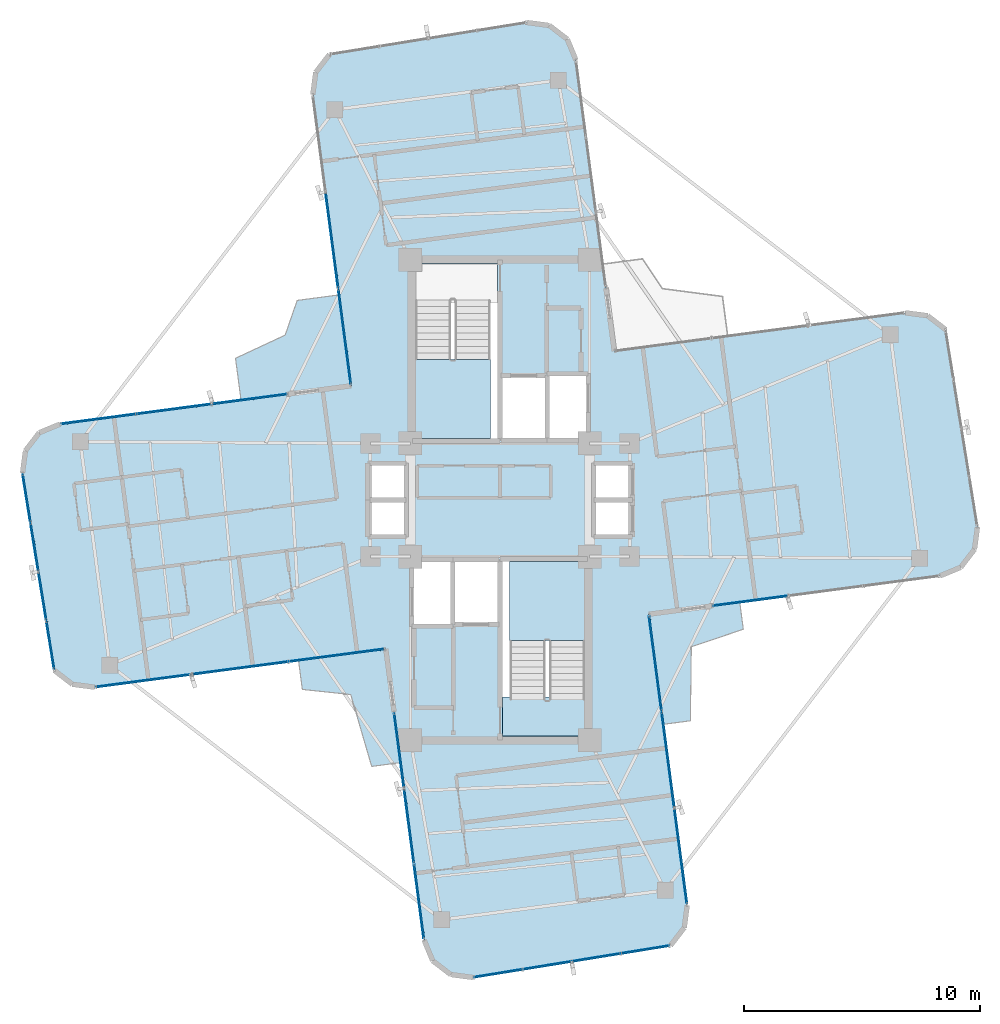
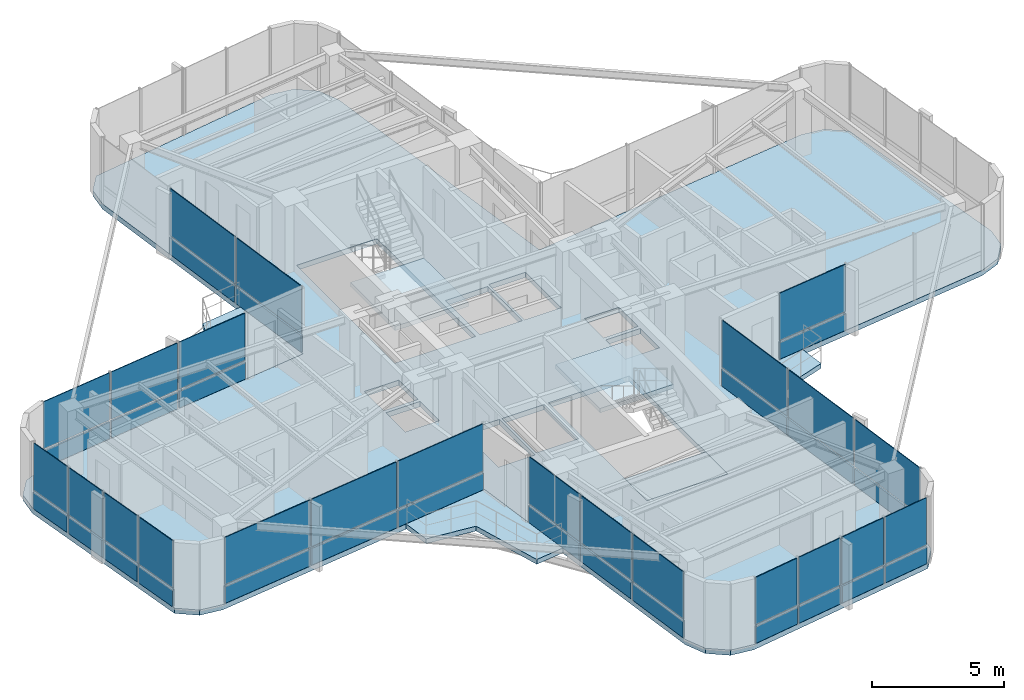
# One storey, part 17 of 22: 46 plates, 7 slabs, 10 elements without a shape of their own.
"""IFC4 building model written with IfcOpenShell, lengths in metres."""

import ifcopenshell
import ifcopenshell.guid

model = None  # the IFC model being written
_history = None  # IfcOwnerHistory: only IFC2X3 demands one
_inside = {}  # id of a spatial element -> (the spatial element, [elements in it])
_under = {}  # id of a project, library or spatial element -> (it, [spatial elements below it])
_declared = {}  # id of a project -> (the project, [libraries it declares])
_typed = {}  # id of a type object -> (the type object, [elements of that type])
_made_of = {}  # id of a material, layer set ... -> (it, [elements and type objects made of it])


def new_model(schema):
    """Start an empty IFC model of exactly this schema.

    Asked for "IFC4X3", IfcOpenShell would pick the latest addendum, in which some entities
    have other attributes; the version numbers below select the first issue.
    IFC2X3 requires an IfcOwnerHistory on every rooted entity: one is made here for all.
    """
    global model, _history
    if schema == "IFC4X3":
        model = ifcopenshell.file(schema_version=(4, 3, 0, 0))
    else:
        model = ifcopenshell.file(schema=schema)
    _inside.clear()
    _under.clear()
    _declared.clear()
    _typed.clear()
    _made_of.clear()
    _history = None
    if model.schema == "IFC2X3":
        org = make("IfcOrganization", Name="unknown")
        user = make(
            "IfcPersonAndOrganization",
            ThePerson=make("IfcPerson", FamilyName="unknown"),
            TheOrganization=org,
        )
        app = make(
            "IfcApplication",
            ApplicationDeveloper=org,
            Version="unknown",
            ApplicationFullName="unknown",
            ApplicationIdentifier="unknown",
        )
        _history = make(
            "IfcOwnerHistory",
            OwningUser=user,
            OwningApplication=app,
            ChangeAction="ADDED",
            CreationDate=0,
        )
    return model


def make(cls, **values):
    """One entity of the class cls with the attributes given. An attribute that is None is left unset."""
    return model.create_entity(
        cls, **{name: value for name, value in values.items() if value is not None}
    )


def rooted(cls, **values):
    """An entity with a GlobalId (a new one), such as an element, a storey or a relation."""
    return make(cls, GlobalId=ifcopenshell.guid.new(), OwnerHistory=_history, **values)


def si_unit(unit_type, name, prefix=None):
    """IfcSIUnit, for example si_unit("LENGTHUNIT", "METRE", prefix="MILLI")."""
    return make("IfcSIUnit", UnitType=unit_type, Prefix=prefix, Name=name)


def assignment(units):
    """IfcUnitAssignment: the units of a project."""
    return None if units is None else make("IfcUnitAssignment", Units=units)


def point(xyz):
    """IfcCartesianPoint."""
    return None if xyz is None else make("IfcCartesianPoint", Coordinates=xyz)


def direction(xyz):
    """IfcDirection."""
    return None if xyz is None else make("IfcDirection", DirectionRatios=xyz)


def frame(location, z_axis=None, x_axis=None):
    """IfcAxis2Placement3D, a coordinate frame: its origin and axes. An axis left out is left unset."""
    return make(
        "IfcAxis2Placement3D",
        Location=point(location),
        Axis=direction(z_axis),
        RefDirection=direction(x_axis),
    )


def frame_2d(location, x_axis=None):
    """IfcAxis2Placement2D, a coordinate frame in the plane: its origin and x axis."""
    return make(
        "IfcAxis2Placement2D", Location=point(location), RefDirection=direction(x_axis)
    )


def origin():
    """The frame at (0, 0, 0) with its axes left unset."""
    return frame((0.0, 0.0, 0.0))


def origin_2d():
    """The frame at (0, 0) in the plane with its x axis left unset."""
    return frame_2d((0.0, 0.0))


def place(relative_to, where):
    """IfcLocalPlacement: puts the frame where relative to a parent placement (None: the world)."""
    return make(
        "IfcLocalPlacement", PlacementRelTo=relative_to, RelativePlacement=where
    )


def context(
    kind, dimensions, precision=None, world=None, true_north=None, identifier=None
):
    """IfcGeometricRepresentationContext, for example the 3D "Model" context."""
    return make(
        "IfcGeometricRepresentationContext",
        ContextIdentifier=identifier,
        ContextType=kind,
        CoordinateSpaceDimension=dimensions,
        Precision=precision,
        WorldCoordinateSystem=world,
        TrueNorth=true_north,
    )


def subcontext(parent, identifier, kind, view, scale=None):
    """IfcGeometricRepresentationSubContext, for example "Body" below "Model"."""
    return make(
        "IfcGeometricRepresentationSubContext",
        ContextIdentifier=identifier,
        ContextType=kind,
        ParentContext=parent,
        TargetScale=scale,
        TargetView=view,
    )


def project(units=None, contexts=None):
    """IfcProject with its units and contexts."""
    return rooted(
        "IfcProject",
        Name="project",
        RepresentationContexts=contexts,
        UnitsInContext=assignment(units),
    )


def spatial(cls, under=None, at=None, **own):
    """A site, building, storey or space (cls), placed at a placement, below another one or the project."""
    s = rooted(cls, ObjectPlacement=at, **own)
    if under is not None:
        _under.setdefault(under.id(), (under, []))[1].append(s)
    return s


def polyline(points):
    """IfcPolyline through the points."""
    return make("IfcPolyline", Points=[point(p) for p in points])


def profile(cls, at=None, kind="AREA", **sizes):
    """A parametric profile (cls). Its sizes go by their IFC names, for example OverallWidth=200.0."""
    return make(cls, ProfileType=kind, Position=at, **sizes)


def rectangle(**sizes):
    """IfcRectangleProfileDef."""
    return profile("IfcRectangleProfileDef", **sizes)


def outline(outer, holes=None, kind="AREA"):
    """IfcArbitraryClosedProfileDef: a profile drawn as a closed curve; with holes, ...WithVoids."""
    if holes is None:
        return make("IfcArbitraryClosedProfileDef", ProfileType=kind, OuterCurve=outer)
    return make(
        "IfcArbitraryProfileDefWithVoids",
        ProfileType=kind,
        OuterCurve=outer,
        InnerCurves=holes,
    )


def extrude(swept, where, along, depth):
    """IfcExtrudedAreaSolid: the profile swept, set in the frame where, extruded along a direction by depth."""
    return make(
        "IfcExtrudedAreaSolid",
        SweptArea=swept,
        Position=where,
        ExtrudedDirection=direction(along),
        Depth=depth,
    )


def shape(context_of_items, identifier, shape_type, items):
    """IfcShapeRepresentation: the items that make up one representation, for example the "Body"."""
    return make(
        "IfcShapeRepresentation",
        ContextOfItems=context_of_items,
        RepresentationIdentifier=identifier,
        RepresentationType=shape_type,
        Items=items,
    )


def source(mapping_origin, context_of_items, identifier, shape_type, items):
    """IfcRepresentationMap: a shape defined once, which mapped items show again and again."""
    return make(
        "IfcRepresentationMap",
        MappingOrigin=mapping_origin,
        MappedRepresentation=shape(context_of_items, identifier, shape_type, items),
    )


def transform(
    local_origin,
    x_axis=None,
    y_axis=None,
    z_axis=None,
    scale=None,
    scale2=None,
    scale3=None,
    uniform=True,
):
    """IfcCartesianTransformationOperator3D, or its non-uniform kind. x_axis, y_axis, z_axis: its Axis1, 2, 3."""
    if uniform:
        return make(
            "IfcCartesianTransformationOperator3D",
            Axis1=direction(x_axis),
            Axis2=direction(y_axis),
            LocalOrigin=point(local_origin),
            Scale=scale,
            Axis3=direction(z_axis),
        )
    return make(
        "IfcCartesianTransformationOperator3DnonUniform",
        Axis1=direction(x_axis),
        Axis2=direction(y_axis),
        LocalOrigin=point(local_origin),
        Scale=scale,
        Axis3=direction(z_axis),
        Scale2=scale2,
        Scale3=scale3,
    )


def mapped(mapping_source, mapping_target):
    """IfcMappedItem: shows the shape of a source again, moved by a transform."""
    return make(
        "IfcMappedItem", MappingSource=mapping_source, MappingTarget=mapping_target
    )


def material(Name=None, Category=None):
    """IfcMaterial."""
    return make("IfcMaterial", Name=Name, Category=Category)


def layer(
    of_material, thickness, ventilated=None, Name=None, Category=None, Priority=None
):
    """IfcMaterialLayer: one layer of a wall or slab, of a material (None: an air gap)."""
    return make(
        "IfcMaterialLayer",
        Material=of_material,
        LayerThickness=thickness,
        IsVentilated=ventilated,
        Name=Name,
        Category=Category,
        Priority=Priority,
    )


def layer_set(layers, Name=None):
    """IfcMaterialLayerSet."""
    return make("IfcMaterialLayerSet", MaterialLayers=layers, LayerSetName=Name)


def made_of(thing, what):
    """Note that an element or type object is made of a material, layer set ...; save() writes the relation."""
    if what is not None:
        _made_of.setdefault(what.id(), (what, []))[1].append(thing)
    return thing


def type_object(cls, material=None, **own):
    """A type object (cls), such as IfcWallType, which elements share."""
    return made_of(rooted(cls, **own), material)


def element(
    cls,
    number,
    at=None,
    inside=None,
    cuts=None,
    type_object=None,
    material=None,
    context=None,
    identifier="Body",
    shape_type=None,
    held_by="IfcProductDefinitionShape",
    body=None,
    shapes=None,
    **own,
):
    """One element of the class cls, such as IfcWall. Its Tag is "e" and its number.

    at: its placement. inside: the storey or other place that contains it. cuts: it is an
    opening in that element (IfcRelVoidsElement). A single representation is given by context,
    identifier, shape_type and body (its items); several are given by shapes. held_by: the class
    of the entity that holds the representations. save() writes the other relations.
    """
    e = rooted(cls, Tag="e%d" % number, ObjectPlacement=at, **own)
    if body is not None:
        shapes = [shape(context, identifier, shape_type, body)]
    if shapes is not None:
        e.Representation = make(held_by, Representations=shapes)
    if inside is not None:
        _inside.setdefault(inside.id(), (inside, []))[1].append(e)
    if cuts is not None:
        rooted(
            "IfcRelVoidsElement", RelatingBuildingElement=cuts, RelatedOpeningElement=e
        )
    if type_object is not None:
        _typed.setdefault(type_object.id(), (type_object, []))[1].append(e)
    return made_of(e, material)


def aggregate(whole, parts):
    """IfcRelAggregates: a whole, such as a stair, and the parts it consists of."""
    return rooted("IfcRelAggregates", RelatingObject=whole, RelatedObjects=parts)


def save(model, path):
    """Write the relations noted so far, then the file.

    IfcRelAggregates (storeys below a building ...), IfcRelContainedInSpatialStructure (elements
    in a storey), IfcRelDefinesByType, IfcRelAssociatesMaterial and IfcRelDeclares: one each for
    every whole, place, type object, material and project.
    """
    for whole, parts in _under.values():
        aggregate(whole, parts)
    for where, things in _inside.values():
        rooted(
            "IfcRelContainedInSpatialStructure",
            RelatedElements=things,
            RelatingStructure=where,
        )
    for kind, things in _typed.values():
        rooted("IfcRelDefinesByType", RelatedObjects=things, RelatingType=kind)
    for what, things in _made_of.values():
        rooted("IfcRelAssociatesMaterial", RelatedObjects=things, RelatingMaterial=what)
    for by, libraries in _declared.values():
        rooted("IfcRelDeclares", RelatingContext=by, RelatedDefinitions=libraries)
    model.write(path)


model = new_model("IFC4")

# Units and contexts
model_context = context("Model", 3, precision=1e-05, world=origin(), true_north=direction((0.0, 1.0)))
body_context = subcontext(model_context, "Body", "Model", "MODEL_VIEW")
ifc_project = project(units=[si_unit("LENGTHUNIT", "METRE"), si_unit("AREAUNIT", "SQUARE_METRE"), si_unit("VOLUMEUNIT", "CUBIC_METRE"), si_unit("PLANEANGLEUNIT", "RADIAN"), si_unit("MASSUNIT", "GRAM", prefix="KILO")], contexts=[model_context])

# Site, building, storey
site_placement = place(None, origin())
site = spatial("IfcSite", under=ifc_project, at=site_placement, CompositionType="ELEMENT")
building_placement = place(site_placement, origin())
building = spatial("IfcBuilding", under=site, at=building_placement, Name="Sahyath Konkavel Grand Hotel", CompositionType="ELEMENT")
storey_placement = place(building_placement, frame((0.0, 0.0, 234.449951171875)))
storey = spatial("IfcBuildingStorey", under=building, at=storey_placement, Name="L65", CompositionType="ELEMENT", Elevation=234.449951171875)

# Slabs
ifc_material_1 = material(Name="Concrete C40/50", Category="concrete")
ifc_layer_1 = layer(ifc_material_1, 0.239990234375)
ifc_layer_set_1 = layer_set([ifc_layer_1], Name="Concrete C40/50")
slab_type_1 = type_object("IfcSlabType", Name="SLB-240", PredefinedType="FLOOR", material=ifc_layer_set_1)
slab_1_placement = place(storey_placement, frame((0.0, 0.0, -0.239990234375)))
element("IfcSlab", 1, at=slab_1_placement, inside=storey, type_object=slab_type_1, Name="L65 Structural Floor Slab", PredefinedType="FLOOR", context=body_context, shape_type="SweptSolid", body=[
    extrude(outline(polyline([(6.315673828125, -4.84619140625), (18.6630859375, -3.220458984375), (19.5478515625, -2.85400390625), (20.130615234375, -2.09423828125), (20.255615234375, -1.14501953125), (18.902587890625, 7.233154296875), (18.14306640625, 7.816162109375), (17.193603515625, 7.941162109375), (4.84619140625, 6.315673828125), (3.220458984375, 18.6630859375), (2.85400390625, 19.5478515625), (2.09423828125, 20.130615234375), (1.14501953125, 20.255615234375), (-7.233154296875, 18.902587890625), (-7.816162109375, 18.14306640625), (-7.941162109375, 17.193603515625), (-6.315673828125, 4.84619140625), (-18.6630859375, 3.220458984375), (-19.5478515625, 2.85400390625), (-20.130615234375, 2.09423828125), (-20.255615234375, 1.14501953125), (-18.902587890625, -7.233154296875), (-18.14306640625, -7.816162109375), (-17.193603515625, -7.941162109375), (-4.84619140625, -6.315673828125), (-3.220458984375, -18.6630859375), (-2.85400390625, -19.5478515625), (-2.09423828125, -20.130615234375), (-1.14501953125, -20.255615234375), (7.233154296875, -18.902587890625), (7.816162109375, -18.14306640625), (7.941162109375, -17.193603515625), (6.315673828125, -4.84619140625)]), holes=[polyline([(-3.6201171875, 2.580078125), (-0.10009765625, 2.580078125), (-0.10009765625, 10.02001953125), (-3.6201171875, 10.02001953125), (-3.6201171875, 2.580078125)]), polyline([(0.10009765625, -10.02001953125), (3.6201171875, -10.02001953125), (3.6201171875, -2.580078125), (0.10009765625, -2.580078125), (0.10009765625, -10.02001953125)]), polyline([(0.10009765625, 2.60009765625), (1.949951171875, 2.60009765625), (1.949951171875, 5.199951171875), (0.10009765625, 5.199951171875), (0.10009765625, 2.60009765625)]), polyline([(-1.949951171875, -5.199951171875), (-0.10009765625, -5.199951171875), (-0.10009765625, -2.60009765625), (-1.949951171875, -2.60009765625), (-1.949951171875, -5.199951171875)]), polyline([(2.050048828125, 2.60009765625), (3.64990234375, 2.60009765625), (3.64990234375, 5.300048828125), (2.050048828125, 5.300048828125), (2.050048828125, 2.60009765625)]), polyline([(-3.64990234375, -5.300048828125), (-2.050048828125, -5.300048828125), (-2.050048828125, -2.60009765625), (-3.64990234375, -2.60009765625), (-3.64990234375, -5.300048828125)]), polyline([(4.050048828125, 0.080078125), (5.550048828125, 0.080078125), (5.550048828125, 1.5400390625), (4.050048828125, 1.5400390625), (4.050048828125, 0.080078125)]), polyline([(4.050048828125, -1.5400390625), (5.550048828125, -1.5400390625), (5.550048828125, -0.080078125), (4.050048828125, -0.080078125), (4.050048828125, -1.5400390625)]), polyline([(-5.550048828125, 0.080078125), (-4.050048828125, 0.080078125), (-4.050048828125, 1.5400390625), (-5.550048828125, 1.5400390625), (-5.550048828125, 0.080078125)]), polyline([(-5.550048828125, -1.5400390625), (-4.050048828125, -1.5400390625), (-4.050048828125, -0.080078125), (-5.550048828125, -0.080078125), (-5.550048828125, -1.5400390625)])]), origin(), (0.0, 0.0, 1.0), 0.239990234375),
])
ifc_layer_2 = layer(ifc_material_1, 0.219970703125)
ifc_layer_set_2 = layer_set([ifc_layer_2], Name="Concrete C40/50")
slab_type_2 = type_object("IfcSlabType", Name="SLB-BALCONY-220", PredefinedType="FLOOR", material=ifc_layer_set_2)
slab_2_placement = place(storey_placement, frame((0.0, 0.0, -0.219970703125)))
element("IfcSlab", 2, at=slab_2_placement, inside=storey, type_object=slab_type_2, Name="L65 Winter-Garden Balcony NW", PredefinedType="FLOOR", context=body_context, shape_type="SweptSolid", body=[
    extrude(outline(polyline([(-6.315673828125, 4.84619140625), (-6.8232421875, 8.701904296875), (-8.604248046875, 8.46728515625), (-9.114990234375, 6.994140625), (-11.220703125, 6.01220703125), (-10.986328125, 4.231201171875), (-6.315673828125, 4.84619140625)])), origin(), (0.0, 0.0, 1.0), 0.219970703125),
])
slab_3_placement = place(storey_placement, frame((0.0, 0.0, -0.219970703125)))
element("IfcSlab", 3, at=slab_3_placement, inside=storey, type_object=slab_type_2, Name="L65 Winter-Garden Balcony SW", PredefinedType="FLOOR", context=body_context, shape_type="SweptSolid", body=[
    extrude(outline(polyline([(-4.84619140625, -6.315673828125), (-8.548095703125, -6.802978515625), (-8.385986328125, -8.035888671875), (-6.3330078125, -8.253173828125), (-5.44384765625, -11.30224609375), (-4.2109375, -11.139892578125), (-4.84619140625, -6.315673828125)])), origin(), (0.0, 0.0, 1.0), 0.219970703125),
])
slab_4_placement = place(storey_placement, frame((0.0, 0.0, -0.219970703125)))
element("IfcSlab", 4, at=slab_4_placement, inside=storey, type_object=slab_type_2, Name="L65 Winter-Garden Balcony SE", PredefinedType="FLOOR", context=body_context, shape_type="SweptSolid", body=[
    extrude(outline(polyline([(6.315673828125, -4.84619140625), (6.930419921875, -9.516845703125), (8.076171875, -9.365966796875), (8.1162109375, -6.227783203125), (10.322021484375, -5.484130859375), (10.17138671875, -4.33837890625), (6.315673828125, -4.84619140625)])), origin(), (0.0, 0.0, 1.0), 0.219970703125),
])

# Stair, slab
stair_type = type_object("IfcStairType", Name="STR-ST16-335", PredefinedType="HALF_TURN_STAIR", material=ifc_material_1)
stair_1_placement = place(storey_placement, origin())
stair_1 = element("IfcStair", 5, at=stair_1_placement, inside=storey, type_object=stair_type, Name="L65 North Core Smokeproof Exit Stair ST-1", PredefinedType="HALF_TURN_STAIR")
ifc_layer_3 = layer(ifc_material_1, 0.199951171875)
ifc_layer_set_3 = layer_set([ifc_layer_3], Name="Concrete C40/50")
slab_type_3 = type_object("IfcSlabType", Name="SLB-STAIR-LND", PredefinedType="LANDING", material=ifc_layer_set_3)
slab_5_placement = place(storey_placement, frame((0.0, 0.0, 1.47509765625)))
slab_5 = element("IfcSlab", 6, at=slab_5_placement, type_object=slab_type_3, Name="ST-1 landing 1", PredefinedType="LANDING", context=body_context, shape_type="SweptSolid", body=[
    extrude(outline(polyline([(-3.60009765625, 5.9599609375), (-3.60009765625, 2.60009765625), (-0.39990234375, 2.60009765625), (-0.39990234375, 5.9599609375), (-3.60009765625, 5.9599609375)])), origin(), (0.0, 0.0, 1.0), 0.199951171875),
])
aggregate(stair_1, [slab_5])

stair_2_placement = place(storey_placement, origin())
stair_2 = element("IfcStair", 7, at=stair_2_placement, inside=storey, type_object=stair_type, Name="L65 South Core Smokeproof Exit Stair ST-2", PredefinedType="HALF_TURN_STAIR")
slab_6_placement = place(storey_placement, frame((0.0, 0.0, 1.47509765625)))
slab_6 = element("IfcSlab", 8, at=slab_6_placement, type_object=slab_type_3, Name="ST-2 landing 1", PredefinedType="LANDING", context=body_context, shape_type="SweptSolid", body=[
    extrude(outline(polyline([(3.60009765625, -5.9599609375), (3.60009765625, -2.60009765625), (0.39990234375, -2.60009765625), (0.39990234375, -5.9599609375), (3.60009765625, -5.9599609375)])), origin(), (0.0, 0.0, 1.0), 0.199951171875),
])
aggregate(stair_2, [slab_6])

# Slab
slab_7_placement = place(storey_placement, frame((0.0, 0.0, -0.199951171875)))
element("IfcSlab", 9, at=slab_7_placement, inside=storey, type_object=slab_type_3, Name="L65 Stair ST-2 Floor Landing Slab", PredefinedType="LANDING", context=body_context, shape_type="SweptSolid", body=[
    extrude(outline(polyline([(0.10009765625, -10.02001953125), (3.6201171875, -10.02001953125), (3.6201171875, -8.35009765625), (0.10009765625, -8.35009765625), (0.10009765625, -10.02001953125)])), origin(), (0.0, 0.0, 1.0), 0.199951171875),
])

# Curtain wall, plate
ifc_material_2 = material(Name="Anodised Bronze Aluminium & Low-E Glazing", Category="aluminium")
curtain_wall_type = type_object("IfcCurtainWallType", Name="CW-ZONE4", PredefinedType="NOTDEFINED", material=ifc_material_2)
curtain_wall_1_placement = place(storey_placement, origin())
curtain_wall_1 = element("IfcCurtainWall", 10, at=curtain_wall_1_placement, inside=storey, type_object=curtain_wall_type, Name="L65 Unitised Curtain Wall F0", PredefinedType="NOTDEFINED")
ifc_material_3 = material(Name="Warm Buff Sandstone Cladding", Category="masonry")
ifc_layer_4 = layer(ifc_material_3, 0.074951171875)
ifc_layer_set_4 = layer_set([ifc_layer_4], Name="Warm Buff Sandstone Cladding")
plate_type_1 = type_object("IfcPlateType", Name="PNL-SPANDREL-STONE", PredefinedType="SHEET", material=ifc_layer_set_4)
shared_shape_1 = source(origin(), body_context, "Body", "SweptSolid", [
    extrude(rectangle(XDim=3.144775390625, YDim=0.074951171875, at=origin_2d()), origin(), (0.0, 0.0, 1.0), 0.77001953125),
])
plate_1_placement = place(storey_placement, frame((10.630615234375, -4.278076171875, 0.0400390625), z_axis=(0.0, 0.0, 1.0), x_axis=(0.991444861374, 0.13052619222, 0.0)))
plate_1 = element("IfcPlate", 11, at=plate_1_placement, type_object=plate_type_1, Name="L65 Sandstone Relief Spandrel Panel F0-0", PredefinedType="SHEET", context=body_context, shape_type="MappedRepresentation", body=[
    mapped(shared_shape_1, transform((0.0, 0.0, 0.0), scale=1.0)),
])

# Curtain wall, plates
curtain_wall_2_placement = place(storey_placement, origin())
curtain_wall_2 = element("IfcCurtainWall", 12, at=curtain_wall_2_placement, inside=storey, type_object=curtain_wall_type, Name="L65 Unitised Curtain Wall F16", PredefinedType="NOTDEFINED")
plate_2_placement = place(storey_placement, frame((-10.630615234375, 4.278076171875, 0.0400390625), z_axis=(0.0, 0.0, 1.0), x_axis=(-0.991444861374, -0.13052619222, 0.0)))
plate_2 = element("IfcPlate", 13, at=plate_2_placement, type_object=plate_type_1, Name="L65 Sandstone Relief Spandrel Panel F16-0", PredefinedType="SHEET", context=body_context, shape_type="MappedRepresentation", body=[
    mapped(shared_shape_1, transform((0.0, 0.0, 0.0), scale=1.0)),
])
plate_3_placement = place(storey_placement, frame((-13.82763671875, 3.857177734375, 0.0400390625), z_axis=(0.0, 0.0, 1.0), x_axis=(-0.991444861374, -0.13052619222, 0.0)))
plate_3 = element("IfcPlate", 14, at=plate_3_placement, type_object=plate_type_1, Name="L65 Sandstone Relief Spandrel Panel F16-1", PredefinedType="SHEET", context=body_context, shape_type="MappedRepresentation", body=[
    mapped(shared_shape_1, transform((0.0, 0.0, 0.0), scale=1.0)),
])
plate_4_placement = place(storey_placement, frame((-17.02490234375, 3.43603515625, 0.0400390625), z_axis=(0.0, 0.0, 1.0), x_axis=(-0.991444861374, -0.13052619222, 0.0)))
plate_4 = element("IfcPlate", 15, at=plate_4_placement, type_object=plate_type_1, Name="L65 Sandstone Relief Spandrel Panel F16-2", PredefinedType="SHEET", context=body_context, shape_type="MappedRepresentation", body=[
    mapped(shared_shape_1, transform((0.0, 0.0, 0.0), scale=1.0)),
])

curtain_wall_3_placement = place(storey_placement, origin())
curtain_wall_3 = element("IfcCurtainWall", 16, at=curtain_wall_3_placement, inside=storey, type_object=curtain_wall_type, Name="L65 Unitised Curtain Wall F24", PredefinedType="NOTDEFINED")
plate_5_placement = place(storey_placement, frame((-4.278076171875, -10.630615234375, 0.0400390625), z_axis=(0.0, 0.0, 1.0), x_axis=(0.13052619222, -0.991444861374, 0.0)))
plate_5 = element("IfcPlate", 17, at=plate_5_placement, type_object=plate_type_1, Name="L65 Sandstone Relief Spandrel Panel F24-0", PredefinedType="SHEET", context=body_context, shape_type="MappedRepresentation", body=[
    mapped(shared_shape_1, transform((0.0, 0.0, 0.0), scale=1.0)),
])
plate_6_placement = place(storey_placement, frame((-3.857177734375, -13.82763671875, 0.0400390625), z_axis=(0.0, 0.0, 1.0), x_axis=(0.13052619222, -0.991444861374, 0.0)))
plate_6 = element("IfcPlate", 18, at=plate_6_placement, type_object=plate_type_1, Name="L65 Sandstone Relief Spandrel Panel F24-1", PredefinedType="SHEET", context=body_context, shape_type="MappedRepresentation", body=[
    mapped(shared_shape_1, transform((0.0, 0.0, 0.0), scale=1.0)),
])
plate_7_placement = place(storey_placement, frame((-3.43603515625, -17.02490234375, 0.0400390625), z_axis=(0.0, 0.0, 1.0), x_axis=(0.13052619222, -0.991444861374, 0.0)))
plate_7 = element("IfcPlate", 19, at=plate_7_placement, type_object=plate_type_1, Name="L65 Sandstone Relief Spandrel Panel F24-2", PredefinedType="SHEET", context=body_context, shape_type="MappedRepresentation", body=[
    mapped(shared_shape_1, transform((0.0, 0.0, 0.0), scale=1.0)),
])

# Plate
ifc_material_4 = material(Name="Low-E Solar Control Double Glazing", Category="glass")
ifc_layer_5 = layer(ifc_material_4, 0.035888671875)
ifc_layer_set_5 = layer_set([ifc_layer_5], Name="Low-E Solar Control Double Glazing")
plate_type_2 = type_object("IfcPlateType", Name="PNL-VISION-LOWE", PredefinedType="CURTAIN_PANEL", material=ifc_layer_set_5)
shared_shape_2 = source(origin(), body_context, "Body", "SweptSolid", [
    extrude(rectangle(XDim=3.144775390625, YDim=0.035888671875, at=origin_2d()), origin(), (0.0, 0.0, 1.0), 2.179931640625),
])
plate_8_placement = place(storey_placement, frame((10.630615234375, -4.278076171875, 0.89013671875), z_axis=(0.0, 0.0, 1.0), x_axis=(0.991444861374, 0.13052619222, 0.0)))
plate_8 = element("IfcPlate", 20, at=plate_8_placement, type_object=plate_type_2, Name="L65 Low-E Vision Glazing Panel F0-0", PredefinedType="CURTAIN_PANEL", context=body_context, shape_type="MappedRepresentation", body=[
    mapped(shared_shape_2, transform((0.0, 0.0, 0.0), scale=1.0)),
])

aggregate(curtain_wall_1, [plate_1, plate_8])

plate_9_placement = place(storey_placement, frame((-10.630615234375, 4.278076171875, 0.89013671875), z_axis=(0.0, 0.0, 1.0), x_axis=(-0.991444861374, -0.13052619222, 0.0)))
plate_9 = element("IfcPlate", 21, at=plate_9_placement, type_object=plate_type_2, Name="L65 Low-E Vision Glazing Panel F16-0", PredefinedType="CURTAIN_PANEL", context=body_context, shape_type="MappedRepresentation", body=[
    mapped(shared_shape_2, transform((0.0, 0.0, 0.0), scale=1.0)),
])

plate_10_placement = place(storey_placement, frame((-13.82763671875, 3.857177734375, 0.89013671875), z_axis=(0.0, 0.0, 1.0), x_axis=(-0.991444861374, -0.13052619222, 0.0)))
plate_10 = element("IfcPlate", 22, at=plate_10_placement, type_object=plate_type_2, Name="L65 Low-E Vision Glazing Panel F16-1", PredefinedType="CURTAIN_PANEL", context=body_context, shape_type="MappedRepresentation", body=[
    mapped(shared_shape_2, transform((0.0, 0.0, 0.0), scale=1.0)),
])

plate_11_placement = place(storey_placement, frame((-17.02490234375, 3.43603515625, 0.89013671875), z_axis=(0.0, 0.0, 1.0), x_axis=(-0.991444861374, -0.13052619222, 0.0)))
plate_11 = element("IfcPlate", 23, at=plate_11_placement, type_object=plate_type_2, Name="L65 Low-E Vision Glazing Panel F16-2", PredefinedType="CURTAIN_PANEL", context=body_context, shape_type="MappedRepresentation", body=[
    mapped(shared_shape_2, transform((0.0, 0.0, 0.0), scale=1.0)),
])

aggregate(curtain_wall_2, [plate_2, plate_9, plate_3, plate_10, plate_4, plate_11])

plate_12_placement = place(storey_placement, frame((-4.278076171875, -10.630615234375, 0.89013671875), z_axis=(0.0, 0.0, 1.0), x_axis=(0.13052619222, -0.991444861374, 0.0)))
plate_12 = element("IfcPlate", 24, at=plate_12_placement, type_object=plate_type_2, Name="L65 Low-E Vision Glazing Panel F24-0", PredefinedType="CURTAIN_PANEL", context=body_context, shape_type="MappedRepresentation", body=[
    mapped(shared_shape_2, transform((0.0, 0.0, 0.0), scale=1.0)),
])

plate_13_placement = place(storey_placement, frame((-3.857177734375, -13.82763671875, 0.89013671875), z_axis=(0.0, 0.0, 1.0), x_axis=(0.13052619222, -0.991444861374, 0.0)))
plate_13 = element("IfcPlate", 25, at=plate_13_placement, type_object=plate_type_2, Name="L65 Low-E Vision Glazing Panel F24-1", PredefinedType="CURTAIN_PANEL", context=body_context, shape_type="MappedRepresentation", body=[
    mapped(shared_shape_2, transform((0.0, 0.0, 0.0), scale=1.0)),
])

plate_14_placement = place(storey_placement, frame((-3.43603515625, -17.02490234375, 0.89013671875), z_axis=(0.0, 0.0, 1.0), x_axis=(0.13052619222, -0.991444861374, 0.0)))
plate_14 = element("IfcPlate", 26, at=plate_14_placement, type_object=plate_type_2, Name="L65 Low-E Vision Glazing Panel F24-2", PredefinedType="CURTAIN_PANEL", context=body_context, shape_type="MappedRepresentation", body=[
    mapped(shared_shape_2, transform((0.0, 0.0, 0.0), scale=1.0)),
])

aggregate(curtain_wall_3, [plate_5, plate_12, plate_6, plate_13, plate_7, plate_14])

# Curtain wall, plates
curtain_wall_4_placement = place(storey_placement, origin())
curtain_wall_4 = element("IfcCurtainWall", 27, at=curtain_wall_4_placement, inside=storey, type_object=curtain_wall_type, Name="L65 Unitised Curtain Wall F20", PredefinedType="NOTDEFINED")
shared_shape_3 = source(origin(), body_context, "Body", "SweptSolid", [
    extrude(rectangle(XDim=2.021728515625, YDim=0.074951171875, at=origin_2d()), origin(), (0.0, 0.0, 1.0), 0.77001953125),
])
plate_15_placement = place(storey_placement, frame((-20.081787109375, 0.068115234375, 0.0400390625), z_axis=(0.0, 0.0, 1.0), x_axis=(0.159433223018, -0.987208715216, 0.0)))
plate_15 = element("IfcPlate", 28, at=plate_15_placement, type_object=plate_type_1, Name="L65 Sandstone Relief Spandrel Panel F20-0", PredefinedType="SHEET", context=body_context, shape_type="MappedRepresentation", body=[
    mapped(shared_shape_3, transform((0.0, 0.0, 0.0), scale=1.0)),
])
plate_16_placement = place(storey_placement, frame((-19.74658203125, -2.0068359375, 0.0400390625), z_axis=(0.0, 0.0, 1.0), x_axis=(0.159433223018, -0.987208715216, 0.0)))
plate_16 = element("IfcPlate", 29, at=plate_16_placement, type_object=plate_type_1, Name="L65 Sandstone Relief Spandrel Panel F20-1", PredefinedType="SHEET", context=body_context, shape_type="MappedRepresentation", body=[
    mapped(shared_shape_3, transform((0.0, 0.0, 0.0), scale=1.0)),
])
plate_17_placement = place(storey_placement, frame((-19.41162109375, -4.08154296875, 0.0400390625), z_axis=(0.0, 0.0, 1.0), x_axis=(0.159433223018, -0.987208715216, 0.0)))
plate_17 = element("IfcPlate", 30, at=plate_17_placement, type_object=plate_type_1, Name="L65 Sandstone Relief Spandrel Panel F20-2", PredefinedType="SHEET", context=body_context, shape_type="MappedRepresentation", body=[
    mapped(shared_shape_3, transform((0.0, 0.0, 0.0), scale=1.0)),
])
plate_18_placement = place(storey_placement, frame((-19.07666015625, -6.15625, 0.0400390625), z_axis=(0.0, 0.0, 1.0), x_axis=(0.159433223018, -0.987208715216, 0.0)))
plate_18 = element("IfcPlate", 31, at=plate_18_placement, type_object=plate_type_1, Name="L65 Sandstone Relief Spandrel Panel F20-3", PredefinedType="SHEET", context=body_context, shape_type="MappedRepresentation", body=[
    mapped(shared_shape_3, transform((0.0, 0.0, 0.0), scale=1.0)),
])

curtain_wall_5_placement = place(storey_placement, origin())
curtain_wall_5 = element("IfcCurtainWall", 32, at=curtain_wall_5_placement, inside=storey, type_object=curtain_wall_type, Name="L65 Unitised Curtain Wall F28", PredefinedType="NOTDEFINED")
plate_19_placement = place(storey_placement, frame((-0.068115234375, -20.081787109375, 0.0400390625), z_axis=(0.0, 0.0, 1.0), x_axis=(0.987208715216, 0.159433223018, 0.0)))
plate_19 = element("IfcPlate", 33, at=plate_19_placement, type_object=plate_type_1, Name="L65 Sandstone Relief Spandrel Panel F28-0", PredefinedType="SHEET", context=body_context, shape_type="MappedRepresentation", body=[
    mapped(shared_shape_3, transform((0.0, 0.0, 0.0), scale=1.0)),
])
plate_20_placement = place(storey_placement, frame((2.0068359375, -19.74658203125, 0.0400390625), z_axis=(0.0, 0.0, 1.0), x_axis=(0.987208715216, 0.159433223018, 0.0)))
plate_20 = element("IfcPlate", 34, at=plate_20_placement, type_object=plate_type_1, Name="L65 Sandstone Relief Spandrel Panel F28-1", PredefinedType="SHEET", context=body_context, shape_type="MappedRepresentation", body=[
    mapped(shared_shape_3, transform((0.0, 0.0, 0.0), scale=1.0)),
])
plate_21_placement = place(storey_placement, frame((4.08154296875, -19.41162109375, 0.0400390625), z_axis=(0.0, 0.0, 1.0), x_axis=(0.987208715216, 0.159433223018, 0.0)))
plate_21 = element("IfcPlate", 35, at=plate_21_placement, type_object=plate_type_1, Name="L65 Sandstone Relief Spandrel Panel F28-2", PredefinedType="SHEET", context=body_context, shape_type="MappedRepresentation", body=[
    mapped(shared_shape_3, transform((0.0, 0.0, 0.0), scale=1.0)),
])
plate_22_placement = place(storey_placement, frame((6.15625, -19.07666015625, 0.0400390625), z_axis=(0.0, 0.0, 1.0), x_axis=(0.987208715216, 0.159433223018, 0.0)))
plate_22 = element("IfcPlate", 36, at=plate_22_placement, type_object=plate_type_1, Name="L65 Sandstone Relief Spandrel Panel F28-3", PredefinedType="SHEET", context=body_context, shape_type="MappedRepresentation", body=[
    mapped(shared_shape_3, transform((0.0, 0.0, 0.0), scale=1.0)),
])

# Plate
shared_shape_4 = source(origin(), body_context, "Body", "SweptSolid", [
    extrude(rectangle(XDim=2.021728515625, YDim=0.035888671875, at=origin_2d()), origin(), (0.0, 0.0, 1.0), 2.179931640625),
])
plate_23_placement = place(storey_placement, frame((-20.081787109375, 0.068115234375, 0.89013671875), z_axis=(0.0, 0.0, 1.0), x_axis=(0.159433223018, -0.987208715216, 0.0)))
plate_23 = element("IfcPlate", 37, at=plate_23_placement, type_object=plate_type_2, Name="L65 Low-E Vision Glazing Panel F20-0", PredefinedType="CURTAIN_PANEL", context=body_context, shape_type="MappedRepresentation", body=[
    mapped(shared_shape_4, transform((0.0, 0.0, 0.0), scale=1.0)),
])

plate_24_placement = place(storey_placement, frame((-19.74658203125, -2.0068359375, 0.89013671875), z_axis=(0.0, 0.0, 1.0), x_axis=(0.159433223018, -0.987208715216, 0.0)))
plate_24 = element("IfcPlate", 38, at=plate_24_placement, type_object=plate_type_2, Name="L65 Low-E Vision Glazing Panel F20-1", PredefinedType="CURTAIN_PANEL", context=body_context, shape_type="MappedRepresentation", body=[
    mapped(shared_shape_4, transform((0.0, 0.0, 0.0), scale=1.0)),
])

plate_25_placement = place(storey_placement, frame((-19.41162109375, -4.08154296875, 0.89013671875), z_axis=(0.0, 0.0, 1.0), x_axis=(0.159433223018, -0.987208715216, 0.0)))
plate_25 = element("IfcPlate", 39, at=plate_25_placement, type_object=plate_type_2, Name="L65 Low-E Vision Glazing Panel F20-2", PredefinedType="CURTAIN_PANEL", context=body_context, shape_type="MappedRepresentation", body=[
    mapped(shared_shape_4, transform((0.0, 0.0, 0.0), scale=1.0)),
])

plate_26_placement = place(storey_placement, frame((-19.07666015625, -6.15625, 0.89013671875), z_axis=(0.0, 0.0, 1.0), x_axis=(0.159433223018, -0.987208715216, 0.0)))
plate_26 = element("IfcPlate", 40, at=plate_26_placement, type_object=plate_type_2, Name="L65 Low-E Vision Glazing Panel F20-3", PredefinedType="CURTAIN_PANEL", context=body_context, shape_type="MappedRepresentation", body=[
    mapped(shared_shape_4, transform((0.0, 0.0, 0.0), scale=1.0)),
])

aggregate(curtain_wall_4, [plate_15, plate_23, plate_16, plate_24, plate_17, plate_25, plate_18, plate_26])

plate_27_placement = place(storey_placement, frame((-0.068115234375, -20.081787109375, 0.89013671875), z_axis=(0.0, 0.0, 1.0), x_axis=(0.987208715216, 0.159433223018, 0.0)))
plate_27 = element("IfcPlate", 41, at=plate_27_placement, type_object=plate_type_2, Name="L65 Low-E Vision Glazing Panel F28-0", PredefinedType="CURTAIN_PANEL", context=body_context, shape_type="MappedRepresentation", body=[
    mapped(shared_shape_4, transform((0.0, 0.0, 0.0), scale=1.0)),
])

plate_28_placement = place(storey_placement, frame((2.0068359375, -19.74658203125, 0.89013671875), z_axis=(0.0, 0.0, 1.0), x_axis=(0.987208715216, 0.159433223018, 0.0)))
plate_28 = element("IfcPlate", 42, at=plate_28_placement, type_object=plate_type_2, Name="L65 Low-E Vision Glazing Panel F28-1", PredefinedType="CURTAIN_PANEL", context=body_context, shape_type="MappedRepresentation", body=[
    mapped(shared_shape_4, transform((0.0, 0.0, 0.0), scale=1.0)),
])

plate_29_placement = place(storey_placement, frame((4.08154296875, -19.41162109375, 0.89013671875), z_axis=(0.0, 0.0, 1.0), x_axis=(0.987208715216, 0.159433223018, 0.0)))
plate_29 = element("IfcPlate", 43, at=plate_29_placement, type_object=plate_type_2, Name="L65 Low-E Vision Glazing Panel F28-2", PredefinedType="CURTAIN_PANEL", context=body_context, shape_type="MappedRepresentation", body=[
    mapped(shared_shape_4, transform((0.0, 0.0, 0.0), scale=1.0)),
])

plate_30_placement = place(storey_placement, frame((6.15625, -19.07666015625, 0.89013671875), z_axis=(0.0, 0.0, 1.0), x_axis=(0.987208715216, 0.159433223018, 0.0)))
plate_30 = element("IfcPlate", 44, at=plate_30_placement, type_object=plate_type_2, Name="L65 Low-E Vision Glazing Panel F28-3", PredefinedType="CURTAIN_PANEL", context=body_context, shape_type="MappedRepresentation", body=[
    mapped(shared_shape_4, transform((0.0, 0.0, 0.0), scale=1.0)),
])

aggregate(curtain_wall_5, [plate_19, plate_27, plate_20, plate_28, plate_21, plate_29, plate_22, plate_30])

# Curtain wall, plates
curtain_wall_6_placement = place(storey_placement, origin())
curtain_wall_6 = element("IfcCurtainWall", 45, at=curtain_wall_6_placement, inside=storey, type_object=curtain_wall_type, Name="L65 Unitised Curtain Wall F15", PredefinedType="NOTDEFINED")
shared_shape_5 = source(origin(), body_context, "Body", "SweptSolid", [
    extrude(rectangle(XDim=4.044677734375, YDim=0.074951171875, at=origin_2d()), origin(), (0.0, 0.0, 1.0), 0.77001953125),
])
plate_31_placement = place(storey_placement, frame((-7.12841796875, 11.019775390625, 0.0400390625), z_axis=(0.0, 0.0, 1.0), x_axis=(0.13052619222, -0.991444861374, 0.0)))
plate_31 = element("IfcPlate", 46, at=plate_31_placement, type_object=plate_type_1, Name="L65 Sandstone Relief Spandrel Panel F15-1", PredefinedType="SHEET", context=body_context, shape_type="MappedRepresentation", body=[
    mapped(shared_shape_5, transform((0.0, 0.0, 0.0), scale=1.0)),
])
plate_32_placement = place(storey_placement, frame((-6.590087890625, 6.930419921875, 0.0400390625), z_axis=(0.0, 0.0, 1.0), x_axis=(0.13052619222, -0.991444861374, 0.0)))
plate_32 = element("IfcPlate", 47, at=plate_32_placement, type_object=plate_type_1, Name="L65 Sandstone Relief Spandrel Panel F15-2", PredefinedType="SHEET", context=body_context, shape_type="MappedRepresentation", body=[
    mapped(shared_shape_5, transform((0.0, 0.0, 0.0), scale=1.0)),
])

curtain_wall_7_placement = place(storey_placement, origin())
curtain_wall_7 = element("IfcCurtainWall", 48, at=curtain_wall_7_placement, inside=storey, type_object=curtain_wall_type, Name="L65 Unitised Curtain Wall F23", PredefinedType="NOTDEFINED")
plate_33_placement = place(storey_placement, frame((-15.109130859375, -7.666748046875, 0.0400390625), z_axis=(0.0, 0.0, 1.0), x_axis=(0.991444861374, 0.13052619222, 0.0)))
plate_33 = element("IfcPlate", 49, at=plate_33_placement, type_object=plate_type_1, Name="L65 Sandstone Relief Spandrel Panel F23-0", PredefinedType="SHEET", context=body_context, shape_type="MappedRepresentation", body=[
    mapped(shared_shape_5, transform((0.0, 0.0, 0.0), scale=1.0)),
])
plate_34_placement = place(storey_placement, frame((-11.019775390625, -7.12841796875, 0.0400390625), z_axis=(0.0, 0.0, 1.0), x_axis=(0.991444861374, 0.13052619222, 0.0)))
plate_34 = element("IfcPlate", 50, at=plate_34_placement, type_object=plate_type_1, Name="L65 Sandstone Relief Spandrel Panel F23-1", PredefinedType="SHEET", context=body_context, shape_type="MappedRepresentation", body=[
    mapped(shared_shape_5, transform((0.0, 0.0, 0.0), scale=1.0)),
])
plate_35_placement = place(storey_placement, frame((-6.930419921875, -6.590087890625, 0.0400390625), z_axis=(0.0, 0.0, 1.0), x_axis=(0.991444861374, 0.13052619222, 0.0)))
plate_35 = element("IfcPlate", 51, at=plate_35_placement, type_object=plate_type_1, Name="L65 Sandstone Relief Spandrel Panel F23-2", PredefinedType="SHEET", context=body_context, shape_type="MappedRepresentation", body=[
    mapped(shared_shape_5, transform((0.0, 0.0, 0.0), scale=1.0)),
])

curtain_wall_8_placement = place(storey_placement, origin())
curtain_wall_8 = element("IfcCurtainWall", 52, at=curtain_wall_8_placement, inside=storey, type_object=curtain_wall_type, Name="L65 Unitised Curtain Wall F31", PredefinedType="NOTDEFINED")
plate_36_placement = place(storey_placement, frame((7.666748046875, -15.109130859375, 0.0400390625), z_axis=(0.0, 0.0, 1.0), x_axis=(-0.13052619222, 0.991444861374, 0.0)))
plate_36 = element("IfcPlate", 53, at=plate_36_placement, type_object=plate_type_1, Name="L65 Sandstone Relief Spandrel Panel F31-0", PredefinedType="SHEET", context=body_context, shape_type="MappedRepresentation", body=[
    mapped(shared_shape_5, transform((0.0, 0.0, 0.0), scale=1.0)),
])
plate_37_placement = place(storey_placement, frame((7.12841796875, -11.019775390625, 0.0400390625), z_axis=(0.0, 0.0, 1.0), x_axis=(-0.13052619222, 0.991444861374, 0.0)))
plate_37 = element("IfcPlate", 54, at=plate_37_placement, type_object=plate_type_1, Name="L65 Sandstone Relief Spandrel Panel F31-1", PredefinedType="SHEET", context=body_context, shape_type="MappedRepresentation", body=[
    mapped(shared_shape_5, transform((0.0, 0.0, 0.0), scale=1.0)),
])
plate_38_placement = place(storey_placement, frame((6.590087890625, -6.930419921875, 0.0400390625), z_axis=(0.0, 0.0, 1.0), x_axis=(-0.13052619222, 0.991444861374, 0.0)))
plate_38 = element("IfcPlate", 55, at=plate_38_placement, type_object=plate_type_1, Name="L65 Sandstone Relief Spandrel Panel F31-2", PredefinedType="SHEET", context=body_context, shape_type="MappedRepresentation", body=[
    mapped(shared_shape_5, transform((0.0, 0.0, 0.0), scale=1.0)),
])

# Plate
shared_shape_6 = source(origin(), body_context, "Body", "SweptSolid", [
    extrude(rectangle(XDim=4.044677734375, YDim=0.035888671875, at=origin_2d()), origin(), (0.0, 0.0, 1.0), 2.179931640625),
])
plate_39_placement = place(storey_placement, frame((-7.12841796875, 11.019775390625, 0.89013671875), z_axis=(0.0, 0.0, 1.0), x_axis=(0.13052619222, -0.991444861374, 0.0)))
plate_39 = element("IfcPlate", 56, at=plate_39_placement, type_object=plate_type_2, Name="L65 Low-E Vision Glazing Panel F15-1", PredefinedType="CURTAIN_PANEL", context=body_context, shape_type="MappedRepresentation", body=[
    mapped(shared_shape_6, transform((0.0, 0.0, 0.0), scale=1.0)),
])

plate_40_placement = place(storey_placement, frame((-6.590087890625, 6.930419921875, 0.89013671875), z_axis=(0.0, 0.0, 1.0), x_axis=(0.13052619222, -0.991444861374, 0.0)))
plate_40 = element("IfcPlate", 57, at=plate_40_placement, type_object=plate_type_2, Name="L65 Low-E Vision Glazing Panel F15-2", PredefinedType="CURTAIN_PANEL", context=body_context, shape_type="MappedRepresentation", body=[
    mapped(shared_shape_6, transform((0.0, 0.0, 0.0), scale=1.0)),
])

aggregate(curtain_wall_6, [plate_31, plate_39, plate_32, plate_40])

plate_41_placement = place(storey_placement, frame((-15.109130859375, -7.666748046875, 0.89013671875), z_axis=(0.0, 0.0, 1.0), x_axis=(0.991444861374, 0.13052619222, 0.0)))
plate_41 = element("IfcPlate", 58, at=plate_41_placement, type_object=plate_type_2, Name="L65 Low-E Vision Glazing Panel F23-0", PredefinedType="CURTAIN_PANEL", context=body_context, shape_type="MappedRepresentation", body=[
    mapped(shared_shape_6, transform((0.0, 0.0, 0.0), scale=1.0)),
])

plate_42_placement = place(storey_placement, frame((-11.019775390625, -7.12841796875, 0.89013671875), z_axis=(0.0, 0.0, 1.0), x_axis=(0.991444861374, 0.13052619222, 0.0)))
plate_42 = element("IfcPlate", 59, at=plate_42_placement, type_object=plate_type_2, Name="L65 Low-E Vision Glazing Panel F23-1", PredefinedType="CURTAIN_PANEL", context=body_context, shape_type="MappedRepresentation", body=[
    mapped(shared_shape_6, transform((0.0, 0.0, 0.0), scale=1.0)),
])

plate_43_placement = place(storey_placement, frame((-6.930419921875, -6.590087890625, 0.89013671875), z_axis=(0.0, 0.0, 1.0), x_axis=(0.991444861374, 0.13052619222, 0.0)))
plate_43 = element("IfcPlate", 60, at=plate_43_placement, type_object=plate_type_2, Name="L65 Low-E Vision Glazing Panel F23-2", PredefinedType="CURTAIN_PANEL", context=body_context, shape_type="MappedRepresentation", body=[
    mapped(shared_shape_6, transform((0.0, 0.0, 0.0), scale=1.0)),
])

aggregate(curtain_wall_7, [plate_33, plate_41, plate_34, plate_42, plate_35, plate_43])

plate_44_placement = place(storey_placement, frame((7.666748046875, -15.109130859375, 0.89013671875), z_axis=(0.0, 0.0, 1.0), x_axis=(-0.13052619222, 0.991444861374, 0.0)))
plate_44 = element("IfcPlate", 61, at=plate_44_placement, type_object=plate_type_2, Name="L65 Low-E Vision Glazing Panel F31-0", PredefinedType="CURTAIN_PANEL", context=body_context, shape_type="MappedRepresentation", body=[
    mapped(shared_shape_6, transform((0.0, 0.0, 0.0), scale=1.0)),
])

plate_45_placement = place(storey_placement, frame((7.12841796875, -11.019775390625, 0.89013671875), z_axis=(0.0, 0.0, 1.0), x_axis=(-0.13052619222, 0.991444861374, 0.0)))
plate_45 = element("IfcPlate", 62, at=plate_45_placement, type_object=plate_type_2, Name="L65 Low-E Vision Glazing Panel F31-1", PredefinedType="CURTAIN_PANEL", context=body_context, shape_type="MappedRepresentation", body=[
    mapped(shared_shape_6, transform((0.0, 0.0, 0.0), scale=1.0)),
])

plate_46_placement = place(storey_placement, frame((6.590087890625, -6.930419921875, 0.89013671875), z_axis=(0.0, 0.0, 1.0), x_axis=(-0.13052619222, 0.991444861374, 0.0)))
plate_46 = element("IfcPlate", 63, at=plate_46_placement, type_object=plate_type_2, Name="L65 Low-E Vision Glazing Panel F31-2", PredefinedType="CURTAIN_PANEL", context=body_context, shape_type="MappedRepresentation", body=[
    mapped(shared_shape_6, transform((0.0, 0.0, 0.0), scale=1.0)),
])

aggregate(curtain_wall_8, [plate_36, plate_44, plate_37, plate_45, plate_38, plate_46])

save(model, "model.ifc")
